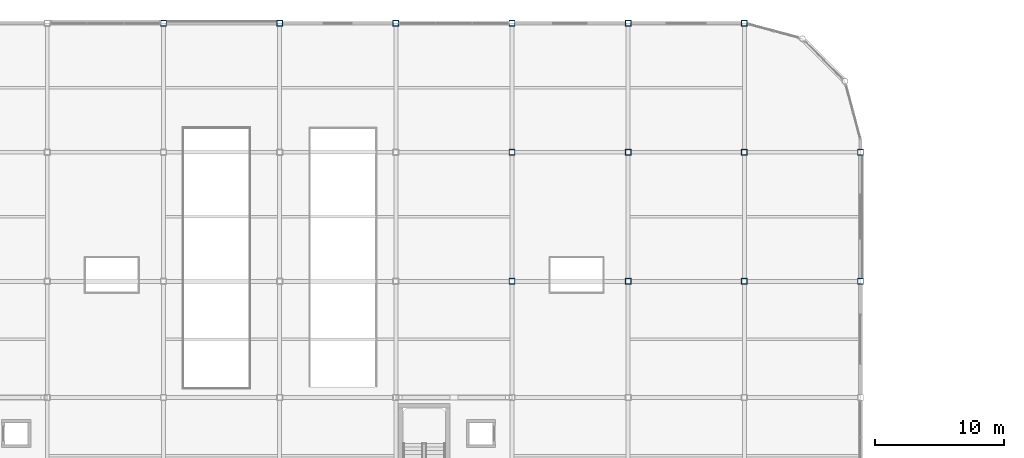
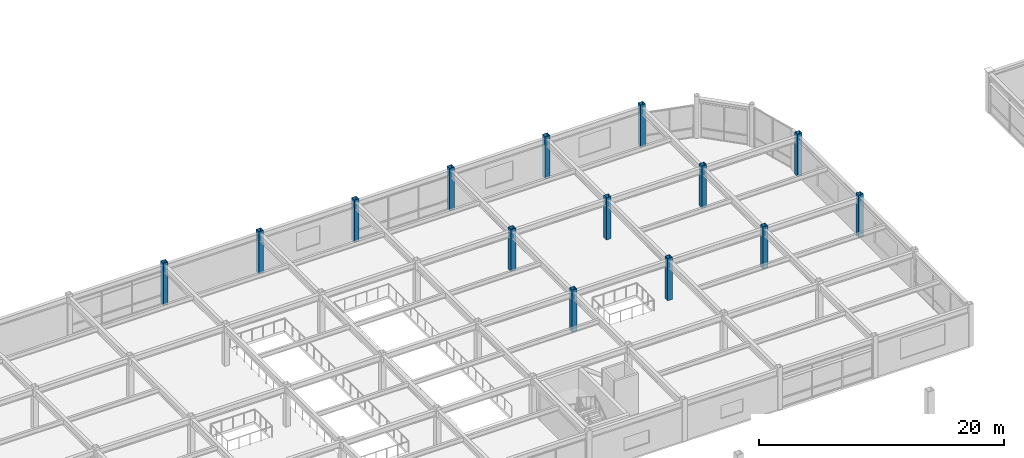
# One storey, part 14 of 105: 14 columns.
"""IFC4 building model written with IfcOpenShell, lengths in metres."""

from ifc_helpers import new_model, si_unit, direction, frame, origin, origin_2d, place, context, subcontext, project, spatial, hollow_rectangle, extrude, material, material_profile, profile_set, type_object, element, save


model = new_model("IFC4")

# Units and contexts
model_context = context("Model", 3, precision=1e-05, world=origin(), true_north=direction((0.0, 1.0)))
body_context = subcontext(model_context, "Body", "Model", "MODEL_VIEW")
ifc_project = project(units=[si_unit("LENGTHUNIT", "METRE"), si_unit("AREAUNIT", "SQUARE_METRE"), si_unit("VOLUMEUNIT", "CUBIC_METRE"), si_unit("PLANEANGLEUNIT", "RADIAN"), si_unit("MASSUNIT", "GRAM", prefix="KILO")], contexts=[model_context])

# Site, building, storey
site_placement = place(None, origin())
site = spatial("IfcSite", under=ifc_project, at=site_placement, CompositionType="ELEMENT")
building_placement = place(site_placement, origin())
building = spatial("IfcBuilding", under=site, at=building_placement, Name="Suzunagisa Mobility Hub", CompositionType="ELEMENT")
storey_placement = place(building_placement, frame((0.0, 0.0, 5.10009765625)))
storey = spatial("IfcBuildingStorey", under=building, at=storey_placement, Name="L01", CompositionType="ELEMENT", Elevation=5.10009765625)

# Columns
ifc_material = material(Name="Steel SN490B", Category="steel")
ifc_material_profile = material_profile(ifc_material, hollow_rectangle(XDim=0.449951171875, YDim=0.449951171875, WallThickness=0.02197265625, at=origin_2d()), Name="BCR-450x450x22")
ifc_profile_set = profile_set([ifc_material_profile], Name="Steel SN490B")
column_type = type_object("IfcColumnType", Name="Steel Column CL-17 BCR-450x450x22", PredefinedType="COLUMN", material=ifc_profile_set)
for number, where, z_axis, x_axis, name in (
    (1, (72.0, 118.0, 0.0), (0.0, 0.0, 1.0), (1.0, 0.0, 0.0), "L01 Column 158"),
    (2, (81.0, 118.0, 0.0), (0.0, 0.0, 1.0), (1.0, 0.0, 0.0), "L01 Column 175"),
    (3, (90.0, 118.0, 0.0), (0.0, 0.0, 1.0), (1.0, 0.0, 0.0), "L01 Column 190"),
    (4, (99.0, 98.0, 0.0), (0.0, 0.0, 1.0), (1.0, 0.0, 0.0), "L01 Column 197"),
    (5, (99.0, 108.0, 0.0), (0.0, 0.0, 1.0), (1.0, 0.0, 0.0), "L01 Column 198"),
    (6, (99.0, 118.0, 0.0), (0.0, 0.0, 1.0), (1.0, 0.0, 0.0), "L01 Column 199"),
    (7, (108.0, 98.0, 0.0), (0.0, 0.0, 1.0), (1.0, 0.0, 0.0), "L01 Column 206"),
    (8, (108.0, 108.0, 0.0), (0.0, 0.0, 1.0), (1.0, 0.0, 0.0), "L01 Column 207"),
    (9, (108.0, 118.0, 0.0), (0.0, 0.0, 1.0), (1.0, 0.0, 0.0), "L01 Column 208"),
    (10, (117.0, 98.0, 0.0), (0.0, 0.0, 1.0), (1.0, 0.0, 0.0), "L01 Column 217"),
    (11, (117.0, 108.0, 0.0), (0.0, 0.0, 1.0), (1.0, 0.0, 0.0), "L01 Column 218"),
    (12, (117.0, 118.0, 0.0), (0.0, 0.0, 1.0), (1.0, 0.0, 0.0), "L01 Column 219"),
    (13, (126.0, 98.0, 0.0), (0.0, 0.0, 1.0), (1.0, 0.0, 0.0), "L01 Column 235"),
    (14, (126.0, 108.0, 0.0), (0.0, 0.0, 1.0), (1.0, 0.0, 0.0), "L01 Column 236"),
):
    element("IfcColumn", number, at=place(storey_placement, frame(where, z_axis=z_axis, x_axis=x_axis)), inside=storey, type_object=column_type, Name=name, PredefinedType="COLUMN", context=body_context, shape_type="SweptSolid", body=[
        extrude(hollow_rectangle(XDim=0.449951171875, YDim=0.449951171875, WallThickness=0.02197265625, at=origin_2d()), origin(), (0.0, 0.0, 1.0), 4.199951171875),
    ])

save(model, "model.ifc")
